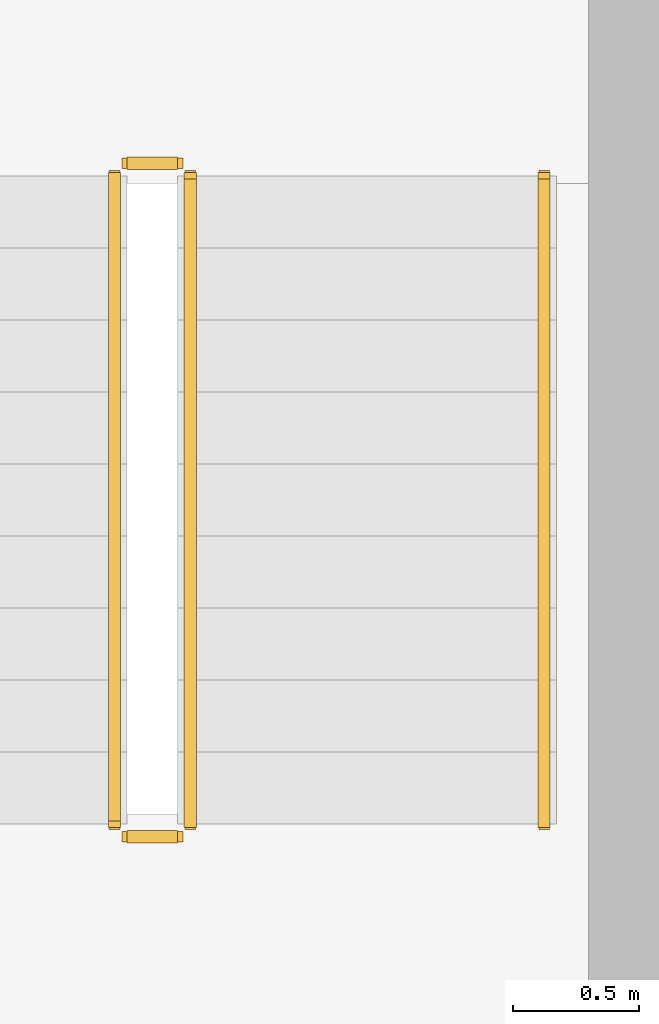
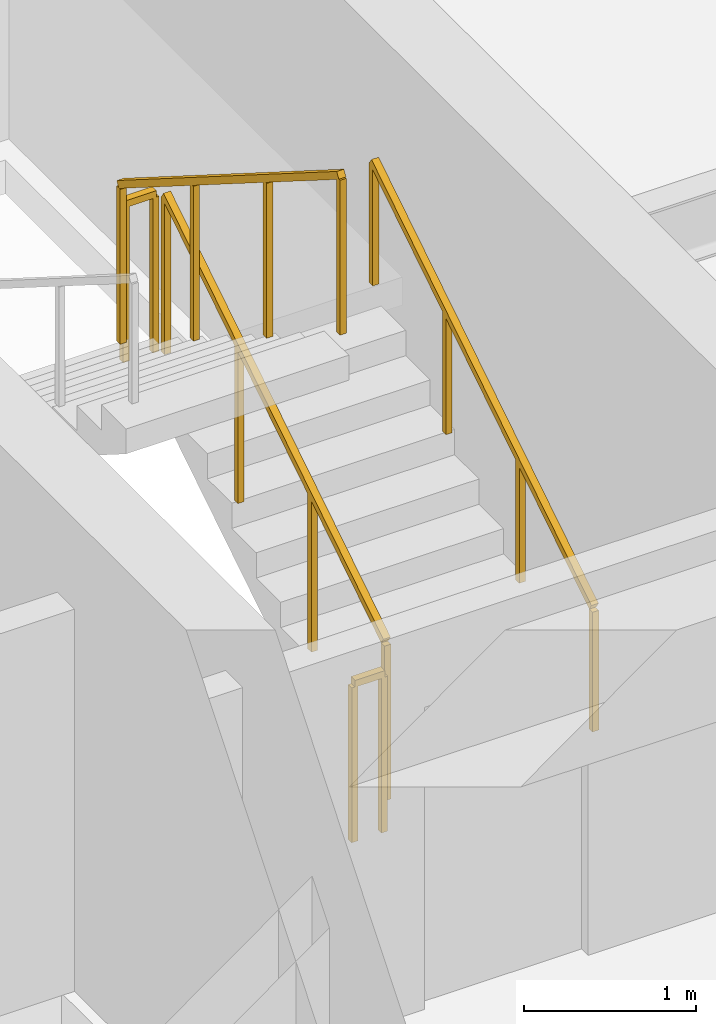
# One storey, part 22 of 22: 5 railings.
"""IFC4 building model written with IfcOpenShell, lengths in metres."""

from ifc_helpers import new_model, si_unit, direction, frame, origin, origin_2d, place, context, subcontext, project, spatial, rectangle, extrude, material, type_object, element, save


model = new_model("IFC4")

# Units and contexts
model_context = context("Model", 3, precision=1e-05, world=origin(), true_north=direction((0.0, 1.0)))
body_context = subcontext(model_context, "Body", "Model", "MODEL_VIEW")
ifc_project = project(units=[si_unit("LENGTHUNIT", "METRE"), si_unit("AREAUNIT", "SQUARE_METRE"), si_unit("VOLUMEUNIT", "CUBIC_METRE"), si_unit("PLANEANGLEUNIT", "RADIAN"), si_unit("MASSUNIT", "GRAM", prefix="KILO")], contexts=[model_context])

# Site, building, storey
site_placement = place(None, origin())
site = spatial("IfcSite", under=ifc_project, at=site_placement, CompositionType="ELEMENT")
building_placement = place(site_placement, origin())
building = spatial("IfcBuilding", under=site, at=building_placement, Name="Sarneth Arch Tower", CompositionType="ELEMENT")
storey_placement = place(building_placement, frame((0.0, 0.0, 206.39990234375)))
storey = spatial("IfcBuildingStorey", under=building, at=storey_placement, Name="L52", CompositionType="ELEMENT", Elevation=206.39990234375)

# Railings
ifc_material_1 = material(Name="Brushed Stainless Steel 304 tubular handrail", Category="steel")
railing_type_1 = type_object("IfcRailingType", Name="RAIL-HANDRAIL-900", PredefinedType="HANDRAIL", material=ifc_material_1)
railing_1_placement = place(storey_placement, frame((58.60009765625, 41.449951171875, 0.18017578125)))
element("IfcRailing", 1, at=railing_1_placement, inside=storey, type_object=railing_type_1, Name="L52 ST-2 stair handrail 1", PredefinedType="HANDRAIL", context=body_context, shape_type="SweptSolid", body=[
    extrude(rectangle(XDim=0.048095703125, YDim=0.048095703125, at=origin_2d()), frame((0.0, 0.0, 0.8759765625), z_axis=(0.0, 0.845502289212, 0.533971796014), x_axis=(-1.0, 0.0, 0.0)), (0.0, 0.0, 1.0), 3.03369140625),
    extrude(rectangle(XDim=0.0419921875, YDim=0.0419921875, at=origin_2d()), origin(), (0.0, 0.0, 1.0), 0.851806640625),
    extrude(rectangle(XDim=0.0419921875, YDim=0.0419921875, at=origin_2d()), frame((0.0, 0.85498046875, 0.5400390625)), (0.0, 0.0, 1.0), 0.851806640625),
    extrude(rectangle(XDim=0.0419921875, YDim=0.0419921875, at=origin_2d()), frame((0.0, 1.7099609375, 1.079833984375)), (0.0, 0.0, 1.0), 0.851806640625),
    extrude(rectangle(XDim=0.0419921875, YDim=0.0419921875, at=origin_2d()), frame((0.0, 2.56494140625, 1.619873046875)), (0.0, 0.0, 1.0), 0.851806640625),
])
ifc_material_2 = material(Name="Painted Steel S275 stair well guard", Category="steel")
railing_type_2 = type_object("IfcRailingType", Name="RAIL-STAIR-GUARD", PredefinedType="GUARDRAIL", material=ifc_material_2)
railing_2_placement = place(storey_placement, frame((57.199951171875, 41.449951171875, 0.18017578125)))
element("IfcRailing", 2, at=railing_2_placement, inside=storey, type_object=railing_type_2, Name="L52 ST-2 stair guard 1", PredefinedType="GUARDRAIL", context=body_context, shape_type="SweptSolid", body=[
    extrude(rectangle(XDim=0.048095703125, YDim=0.048095703125, at=origin_2d()), frame((0.0, 0.0, 1.1259765625), z_axis=(0.0, 0.845502289212, 0.533971796014), x_axis=(-1.0, 0.0, 0.0)), (0.0, 0.0, 1.0), 3.03369140625),
    extrude(rectangle(XDim=0.0419921875, YDim=0.0419921875, at=origin_2d()), origin(), (0.0, 0.0, 1.0), 1.101806640625),
    extrude(rectangle(XDim=0.0419921875, YDim=0.0419921875, at=origin_2d()), frame((0.0, 0.85498046875, 0.5400390625)), (0.0, 0.0, 1.0), 1.101806640625),
    extrude(rectangle(XDim=0.0419921875, YDim=0.0419921875, at=origin_2d()), frame((0.0, 1.7099609375, 1.079833984375)), (0.0, 0.0, 1.0), 1.101806640625),
    extrude(rectangle(XDim=0.0419921875, YDim=0.0419921875, at=origin_2d()), frame((0.0, 2.56494140625, 1.619873046875)), (0.0, 0.0, 1.0), 1.101806640625),
])
railing_3_placement = place(storey_placement, frame((57.14990234375, 44.06494140625, 1.800048828125)))
element("IfcRailing", 3, at=railing_3_placement, inside=storey, type_object=railing_type_2, Name="L52 ST-2 stair guard 2", PredefinedType="GUARDRAIL", context=body_context, shape_type="SweptSolid", body=[
    extrude(rectangle(XDim=0.048095703125, YDim=0.048095703125, at=origin_2d()), frame((0.0, 0.0, 1.1259765625), z_axis=(-1.0, 0.0, 0.0), x_axis=(0.0, -1.0, 0.0)), (0.0, 0.0, 1.0), 0.199951171875),
    extrude(rectangle(XDim=0.0419921875, YDim=0.0419921875, at=origin_2d()), origin(), (0.0, 0.0, 1.0), 1.101806640625),
    extrude(rectangle(XDim=0.0419921875, YDim=0.0419921875, at=origin_2d()), frame((-0.199951171875, 0.0, 0.0)), (0.0, 0.0, 1.0), 1.101806640625),
])
railing_4_placement = place(storey_placement, frame((56.89990234375, 44.014892578125, 1.97998046875)))
element("IfcRailing", 4, at=railing_4_placement, inside=storey, type_object=railing_type_2, Name="L52 ST-2 stair guard 3", PredefinedType="GUARDRAIL", context=body_context, shape_type="SweptSolid", body=[
    extrude(rectangle(XDim=0.048095703125, YDim=0.048095703125, at=origin_2d()), frame((0.0, 0.0, 1.1259765625), z_axis=(0.0, -0.845465955043, 0.534029323973), x_axis=(1.0, 0.0, 0.0)), (0.0, 0.0, 1.0), 3.03369140625),
    extrude(rectangle(XDim=0.0419921875, YDim=0.0419921875, at=origin_2d()), origin(), (0.0, 0.0, 1.0), 1.101806640625),
    extrude(rectangle(XDim=0.0419921875, YDim=0.0419921875, at=origin_2d()), frame((0.0, -0.85498046875, 0.5400390625)), (0.0, 0.0, 1.0), 1.101806640625),
    extrude(rectangle(XDim=0.0419921875, YDim=0.0419921875, at=origin_2d()), frame((0.0, -1.7099609375, 1.080078125)), (0.0, 0.0, 1.0), 1.101806640625),
    extrude(rectangle(XDim=0.0419921875, YDim=0.0419921875, at=origin_2d()), frame((0.0, -2.56494140625, 1.6201171875)), (0.0, 0.0, 1.0), 1.101806640625),
])
railing_5_placement = place(storey_placement, frame((57.14990234375, 41.39990234375, 0.0)))
element("IfcRailing", 5, at=railing_5_placement, inside=storey, type_object=railing_type_2, Name="L52 ST-2 stair guard 4", PredefinedType="GUARDRAIL", context=body_context, shape_type="SweptSolid", body=[
    extrude(rectangle(XDim=0.048095703125, YDim=0.048095703125, at=origin_2d()), frame((0.0, 0.0, 1.1259765625), z_axis=(-1.0, 0.0, 0.0), x_axis=(0.0, -1.0, 0.0)), (0.0, 0.0, 1.0), 0.199951171875),
    extrude(rectangle(XDim=0.0419921875, YDim=0.0419921875, at=origin_2d()), origin(), (0.0, 0.0, 1.0), 1.101806640625),
    extrude(rectangle(XDim=0.0419921875, YDim=0.0419921875, at=origin_2d()), frame((-0.199951171875, 0.0, 0.0)), (0.0, 0.0, 1.0), 1.101806640625),
])

save(model, "model.ifc")
